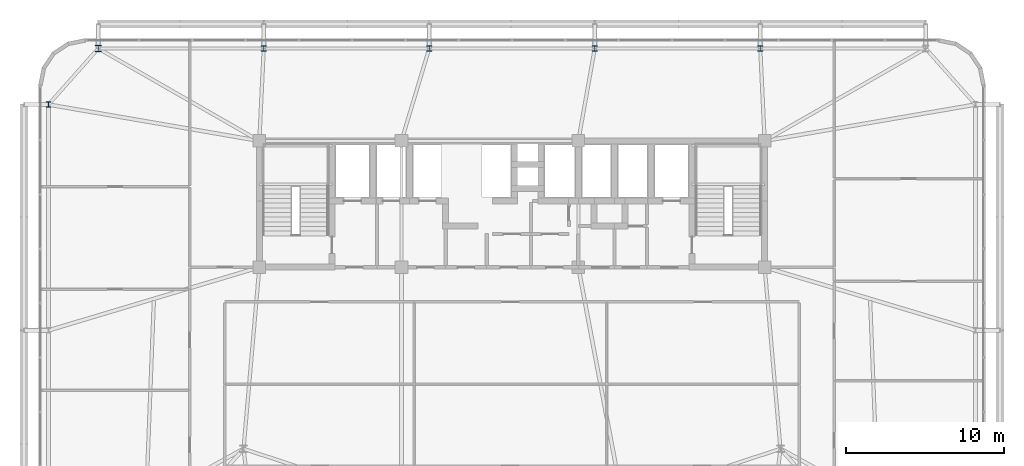
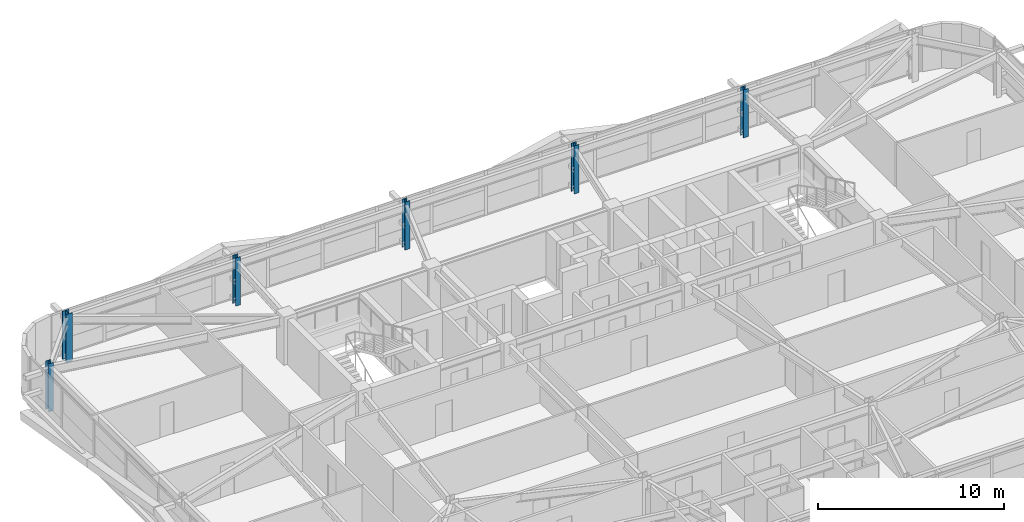
# One storey, part 3 of 59: 6 columns.
"""IFC4 building model written with IfcOpenShell, lengths in metres."""

from ifc_helpers import new_model, si_unit, direction, frame, origin, origin_2d, place, context, subcontext, project, spatial, i_section, extrude, source, transform, mapped, material, material_profile, profile_set, type_object, element, save


model = new_model("IFC4")

# Units and contexts
model_context = context("Model", 3, precision=1e-05, world=origin(), true_north=direction((0.0, 1.0)))
body_context = subcontext(model_context, "Body", "Model", "MODEL_VIEW")
ifc_project = project(units=[si_unit("LENGTHUNIT", "METRE"), si_unit("AREAUNIT", "SQUARE_METRE"), si_unit("VOLUMEUNIT", "CUBIC_METRE"), si_unit("PLANEANGLEUNIT", "RADIAN"), si_unit("MASSUNIT", "GRAM", prefix="KILO")], contexts=[model_context])

# Site, building, storey
site_placement = place(None, origin())
site = spatial("IfcSite", under=ifc_project, at=site_placement, CompositionType="ELEMENT")
building_placement = place(site_placement, origin())
building = spatial("IfcBuilding", under=site, at=building_placement, Name="Taldren Reach Tower", CompositionType="ELEMENT")
storey_placement = place(building_placement, frame((0.0, 0.0, 48.300048828125)))
storey = spatial("IfcBuildingStorey", under=building, at=storey_placement, Name="L14", CompositionType="ELEMENT", Elevation=48.300048828125)

# Columns
ifc_material = material(Name="Steel Gr 350 (350PLUS)", Category="steel")
ifc_material_profile_1 = material_profile(ifc_material, i_section(OverallWidth=0.39990234375, OverallDepth=0.39599609375, WebThickness=0.02197265625, FlangeThickness=0.033935546875, at=origin_2d()), Name="400WC270")
ifc_profile_set_1 = profile_set([ifc_material_profile_1], Name="Steel Gr 350 (350PLUS)")
column_type_1 = type_object("IfcColumnType", Name="COL-WC400", PredefinedType="COLUMN", material=ifc_profile_set_1)
shared_shape_1 = source(origin(), body_context, "Body", "SweptSolid", [
    extrude(i_section(OverallWidth=0.39990234375, OverallDepth=0.39599609375, WebThickness=0.02197265625, FlangeThickness=0.033935546875, at=origin_2d()), origin(), (0.0, 0.0, 1.0), 3.14990234375),
])
column_placement = place(storey_placement, frame((8.800048828125, 37.85009765625, 0.0), z_axis=(0.0, 0.0, 1.0), x_axis=(1.0, 0.0, 0.0)))
element("IfcColumn", 1, at=column_placement, inside=storey, type_object=column_type_1, Name="Block B1 perimeter column N1 L14", PredefinedType="COLUMN", context=body_context, shape_type="MappedRepresentation", body=[
    mapped(shared_shape_1, transform((0.0, 0.0, 0.0), scale=1.0)),
])
ifc_material_profile_2 = material_profile(ifc_material, i_section(OverallWidth=0.31103515625, OverallDepth=0.326904296875, WebThickness=0.015625, FlangeThickness=0.02490234375, at=origin_2d()), Name="310UC158")
ifc_profile_set_2 = profile_set([ifc_material_profile_2], Name="Steel Gr 350 (350PLUS)")
column_type_2 = type_object("IfcColumnType", Name="COL-UC310A", PredefinedType="COLUMN", material=ifc_profile_set_2)
shared_shape_2 = source(origin(), body_context, "Body", "SweptSolid", [
    extrude(i_section(OverallWidth=0.31103515625, OverallDepth=0.326904296875, WebThickness=0.015625, FlangeThickness=0.02490234375, at=origin_2d()), origin(), (0.0, 0.0, 1.0), 3.14990234375),
])
for number, where, z_axis, x_axis, name in (
    (2, (19.280029296875, 37.85009765625, 0.0), (0.0, 0.0, 1.0), (1.0, 0.0, 0.0), "Block B1 perimeter column N2 L14"),
    (3, (29.760009765625, 37.85009765625, 0.0), (0.0, 0.0, 1.0), (1.0, 0.0, 0.0), "Block B1 perimeter column N3 L14"),
    (4, (40.239990234375, 37.85009765625, 0.0), (0.0, 0.0, 1.0), (1.0, 0.0, 0.0), "Block B1 perimeter column N4 L14"),
    (5, (50.719970703125, 37.85009765625, 0.0), (0.0, 0.0, 1.0), (1.0, 0.0, 0.0), "Block B1 perimeter column N5 L14"),
    (6, (5.64990234375, 34.300048828125, 0.0), (0.0, 0.0, 1.0), (1.0, 0.0, 0.0), "Block B1 perimeter column W3 L14"),
):
    element("IfcColumn", number, at=place(storey_placement, frame(where, z_axis=z_axis, x_axis=x_axis)), inside=storey, type_object=column_type_2, Name=name, PredefinedType="COLUMN", context=body_context, shape_type="MappedRepresentation", body=[
        mapped(shared_shape_2, transform((0.0, 0.0, 0.0), scale=1.0)),
    ])

save(model, "model.ifc")
